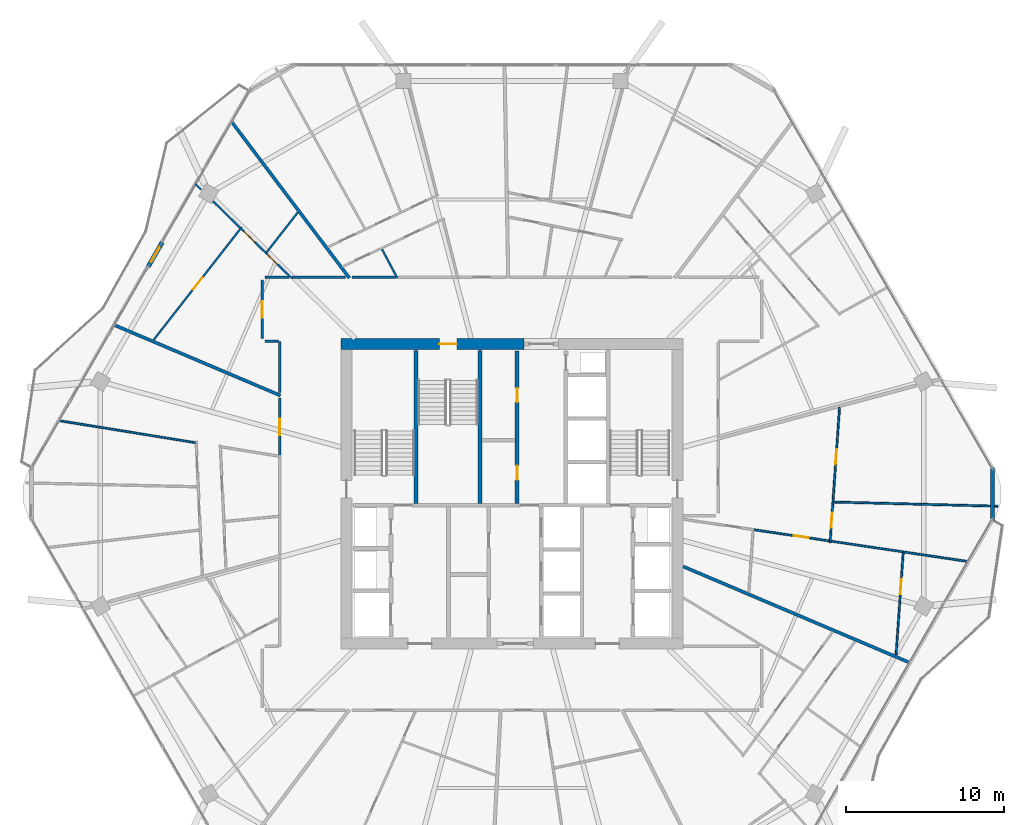
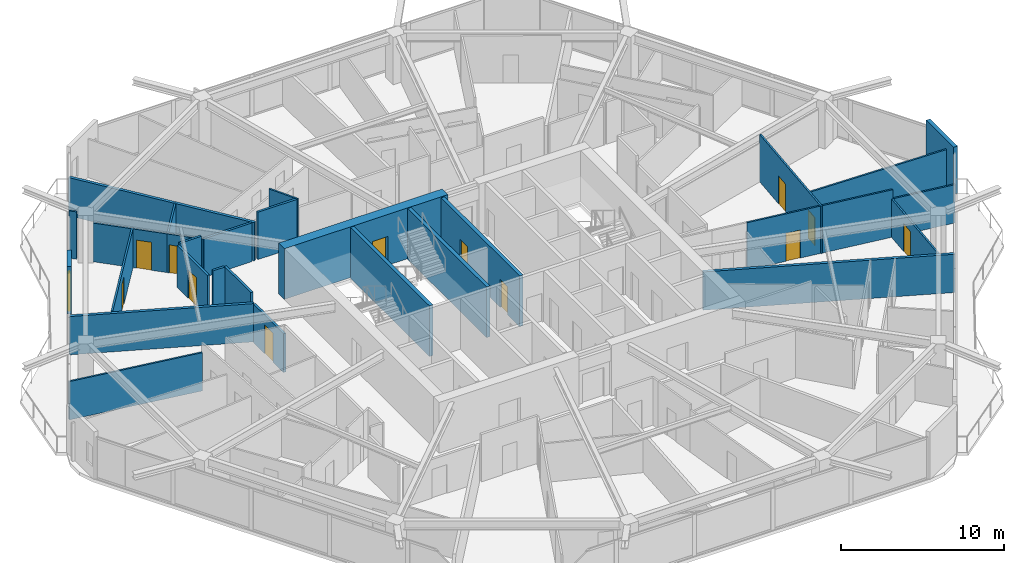
# One storey, part 21 of 27: 31 walls, 13 doors, 13 openings.
"""IFC4 building model written with IfcOpenShell, lengths in metres."""

from ifc_helpers import new_model, si_unit, direction, frame, frame_2d, origin, place, context, subcontext, project, spatial, rectangle, extrude, material, layer, layer_set, type_object, element, fill, save


model = new_model("IFC4")

# Units and contexts
model_context = context("Model", 3, precision=1e-05, world=origin(), true_north=direction((0.0, 1.0)))
body_context = subcontext(model_context, "Body", "Model", "MODEL_VIEW")
ifc_project = project(units=[si_unit("LENGTHUNIT", "METRE"), si_unit("AREAUNIT", "SQUARE_METRE"), si_unit("VOLUMEUNIT", "CUBIC_METRE"), si_unit("PLANEANGLEUNIT", "RADIAN"), si_unit("MASSUNIT", "GRAM", prefix="KILO")], contexts=[model_context])

# Site, building, storey
site_placement = place(None, origin())
site = spatial("IfcSite", under=ifc_project, at=site_placement, CompositionType="ELEMENT")
building_placement = place(site_placement, origin())
building = spatial("IfcBuilding", under=site, at=building_placement, Name="Zuhravey Tower", CompositionType="ELEMENT")
storey_placement = place(building_placement, frame((0.0, 0.0, 188.39990234375)))
storey = spatial("IfcBuildingStorey", under=building, at=storey_placement, Name="L47", CompositionType="ELEMENT", Elevation=188.39990234375)

# Wall, opening, door
ifc_material_1 = material(Name="Concrete C60/75", Category="concrete")
ifc_layer_1 = layer(ifc_material_1, 0.699951171875)
ifc_layer_set_1 = layer_set([ifc_layer_1], Name="Concrete C60/75")
wall_type_1 = type_object("IfcWallType", Name="Core Shear Wall 700", PredefinedType="SHEAR", material=ifc_layer_set_1)
wall_1_placement = place(storey_placement, frame((36.75, 41.5, 0.0), z_axis=(0.0, 0.0, 1.0), x_axis=(-1.0, 0.0, 0.0)))
wall_1 = element("IfcWall", 1, at=wall_1_placement, inside=storey, type_object=wall_type_1, Name="L47 North-West Core Shear Wall CW70", PredefinedType="SHEAR", context=body_context, shape_type="SweptSolid", body=[
    extrude(rectangle(XDim=11.60009765625, YDim=0.699951171875, at=frame_2d((5.800048828125, 0.0))), origin(), (0.0, 0.0, 1.0), 3.800048828125),
])
opening_1_placement = place(wall_1_placement, frame((4.25, 0.0, 0.0)))
opening_1 = element("IfcOpeningElement", 2, at=opening_1_placement, cuts=wall_1, Name="Opening STD1", PredefinedType="OPENING", context=body_context, shape_type="SweptSolid", body=[
    extrude(rectangle(XDim=1.10009765625, YDim=2.14990234375, at=frame_2d((0.550048828125, 1.074951171875))), frame((0.0, 0.362060546875, 0.0), z_axis=(0.0, -1.0, 0.0), x_axis=(1.0, 0.0, 0.0)), (0.0, 0.0, 1.0), 0.723876953125),
])
ifc_material_2 = material(Name="Galvanised fire-rated steel leaf", Category="steel")
door_type_1 = type_object("IfcDoorType", Name="Protected Stair Fire Door 1100x2150", OperationType="NOTDEFINED", PredefinedType="USERDEFINED", material=ifc_material_2)
door_1_placement = place(opening_1_placement, origin())
door_1 = element("IfcDoor", 3, at=door_1_placement, inside=storey, type_object=door_type_1, Name="L47 Stair ST3 Door", ObjectType="EXITDOOR", OperationType="SINGLE_SWING_RIGHT", OverallHeight=2.14990234375, OverallWidth=1.10009765625, PredefinedType="USERDEFINED", context=body_context, shape_type="SweptSolid", body=[
    extrude(rectangle(XDim=1.10009765625, YDim=2.14990234375, at=frame_2d((0.550048828125, 1.074951171875))), frame((0.0, 0.02490234375, 0.0), z_axis=(0.0, -1.0, 0.0), x_axis=(1.0, 0.0, 0.0)), (0.0, 0.0, 1.0), 0.050048828125),
])
fill(opening_1, door_1)

ifc_material_3 = material(Name="Gypsum fire-rated stud partition")
ifc_layer_2 = layer(ifc_material_3, 0.159912109375)
ifc_layer_set_2 = layer_set([ifc_layer_2], Name="Gypsum fire-rated stud partition")
wall_type_2 = type_object("IfcWallType", Name="Corridor Fire Partition 160", PredefinedType="PARTITIONING", material=ifc_layer_set_2)
wall_2_placement = place(storey_placement, frame((20.169921875, 45.550048828125, 0.0), z_axis=(0.0, 0.0, 1.0), x_axis=(0.0, -1.0, 0.0)))
wall_2 = element("IfcWall", 4, at=wall_2_placement, inside=storey, type_object=wall_type_2, Name="L47 IW16 Partition 034", PredefinedType="PARTITIONING", context=body_context, shape_type="SweptSolid", body=[
    extrude(rectangle(XDim=3.699951171875, YDim=0.159912109375, at=frame_2d((1.85009765625, 0.0))), origin(), (0.0, 0.0, 1.0), 3.150146484375),
])
opening_2_placement = place(wall_2_placement, frame((1.324951171875, 0.0, 0.0)))
opening_2 = element("IfcOpeningElement", 5, at=opening_2_placement, cuts=wall_2, Name="Opening APD1", PredefinedType="OPENING", context=body_context, shape_type="SweptSolid", body=[
    extrude(rectangle(XDim=1.050048828125, YDim=2.14990234375, at=frame_2d((0.52490234375, 1.074951171875))), frame((0.0, 0.092041015625, 0.0), z_axis=(0.0, -1.0, 0.0), x_axis=(1.0, 0.0, 0.0)), (0.0, 0.0, 1.0), 0.183837890625),
])
ifc_material_4 = material(Name="Solid-core oak fire-rated leaf")
door_type_2 = type_object("IfcDoorType", Name="Apartment Entrance Fire Door 1050x2150", OperationType="NOTDEFINED", PredefinedType="DOOR", material=ifc_material_4)
door_2_placement = place(opening_2_placement, frame((1.050048828125, 0.0, 0.0), z_axis=(0.0, 0.0, 1.0), x_axis=(-1.0, 0.0, 0.0)))
door_2 = element("IfcDoor", 6, at=door_2_placement, inside=storey, type_object=door_type_2, Name="L47 Door 034.1", OperationType="SINGLE_SWING_LEFT", OverallHeight=2.14990234375, OverallWidth=1.050048828125, PredefinedType="DOOR", context=body_context, shape_type="SweptSolid", body=[
    extrude(rectangle(XDim=1.050048828125, YDim=2.14990234375, at=frame_2d((0.52490234375, 1.074951171875))), frame((0.0, 0.02490234375, 0.0), z_axis=(0.0, -1.0, 0.0), x_axis=(1.0, 0.0, 0.0)), (0.0, 0.0, 1.0), 0.050048828125),
])
fill(opening_2, door_2)

wall_3_placement = place(storey_placement, frame((21.27001953125, 38.07958984375, 0.0), z_axis=(0.0, 0.0, 1.0), x_axis=(0.0, -1.0, 0.0)))
wall_3 = element("IfcWall", 7, at=wall_3_placement, inside=storey, type_object=wall_type_2, Name="L47 IW16 Partition 037", PredefinedType="PARTITIONING", context=body_context, shape_type="SweptSolid", body=[
    extrude(rectangle(XDim=3.678955078125, YDim=0.159912109375, at=frame_2d((1.83935546875, 0.0))), origin(), (0.0, 0.0, 1.0), 2.900146484375),
])
opening_3_placement = place(wall_3_placement, frame((1.314453125, 0.0, 0.0)))
opening_3 = element("IfcOpeningElement", 8, at=opening_3_placement, cuts=wall_3, Name="Opening APD1", PredefinedType="OPENING", context=body_context, shape_type="SweptSolid", body=[
    extrude(rectangle(XDim=1.050048828125, YDim=2.14990234375, at=frame_2d((0.52490234375, 1.074951171875))), frame((0.0, 0.092041015625, 0.0), z_axis=(0.0, -1.0, 0.0), x_axis=(1.0, 0.0, 0.0)), (0.0, 0.0, 1.0), 0.183837890625),
])
door_3_placement = place(opening_3_placement, frame((1.050048828125, 0.0, 0.0), z_axis=(0.0, 0.0, 1.0), x_axis=(-1.0, 0.0, 0.0)))
door_3 = element("IfcDoor", 9, at=door_3_placement, inside=storey, type_object=door_type_2, Name="L47 Door 037.1", OperationType="SINGLE_SWING_LEFT", OverallHeight=2.14990234375, OverallWidth=1.050048828125, PredefinedType="DOOR", context=body_context, shape_type="SweptSolid", body=[
    extrude(rectangle(XDim=1.050048828125, YDim=2.14990234375, at=frame_2d((0.52490234375, 1.074951171875))), frame((0.0, 0.02490234375, 0.0), z_axis=(0.0, -1.0, 0.0), x_axis=(1.0, 0.0, 0.0)), (0.0, 0.0, 1.0), 0.050048828125),
])
fill(opening_3, door_3)

# Walls
wall_4_placement = place(storey_placement, frame((28.626220703125, 45.72998046875, 0.0), z_axis=(0.0, 0.0, 1.0), x_axis=(-1.0, 0.0, 0.0)))
element("IfcWall", 10, at=wall_4_placement, inside=storey, type_object=wall_type_2, Name="L47 IW16 Partition 131", PredefinedType="PARTITIONING", context=body_context, shape_type="SweptSolid", body=[
    extrude(rectangle(XDim=2.760986328125, YDim=0.159912109375, at=frame_2d((1.38037109375, 0.0))), origin(), (0.0, 0.0, 1.0), 3.550048828125),
])
wall_5_placement = place(storey_placement, frame((21.27001953125, 41.669921875, 0.0), z_axis=(0.0, 0.0, 1.0), x_axis=(0.0, -1.0, 0.0)))
element("IfcWall", 11, at=wall_5_placement, inside=storey, type_object=wall_type_2, Name="L47 IW16 Partition 132", PredefinedType="PARTITIONING", context=body_context, shape_type="SweptSolid", body=[
    extrude(rectangle(XDim=3.243408203125, YDim=0.159912109375, at=frame_2d((1.62158203125, 0.0))), origin(), (0.0, 0.0, 1.0), 3.550048828125),
])
wall_6_placement = place(storey_placement, frame((21.872314453125, 45.72998046875, 0.0), z_axis=(0.0, 0.0, 1.0), x_axis=(-1.0, 0.0, 0.0)))
element("IfcWall", 12, at=wall_6_placement, inside=storey, type_object=wall_type_2, Name="L47 IW16 Partition 133", PredefinedType="PARTITIONING", context=body_context, shape_type="SweptSolid", body=[
    extrude(rectangle(XDim=1.522216796875, YDim=0.159912109375, at=frame_2d((0.76123046875, 0.0))), origin(), (0.0, 0.0, 1.0), 3.150146484375),
])
wall_7_placement = place(storey_placement, frame((20.35009765625, 41.669921875, 0.0), z_axis=(0.0, 0.0, 1.0), x_axis=(1.0, 0.0, 0.0)))
element("IfcWall", 13, at=wall_7_placement, inside=storey, type_object=wall_type_2, Name="L47 IW16 Partition 134", PredefinedType="PARTITIONING", context=body_context, shape_type="SweptSolid", body=[
    extrude(rectangle(XDim=0.831787109375, YDim=0.159912109375, at=frame_2d((0.416015625, 0.0))), origin(), (0.0, 0.0, 1.0), 3.550048828125),
])
wall_8_placement = place(storey_placement, frame((25.439453125, 45.72998046875, 0.0), z_axis=(0.0, 0.0, 1.0), x_axis=(-1.0, 0.0, 0.0)))
element("IfcWall", 14, at=wall_8_placement, inside=storey, type_object=wall_type_2, Name="L47 IW16 Partition 135", PredefinedType="PARTITIONING", context=body_context, shape_type="SweptSolid", body=[
    extrude(rectangle(XDim=3.3798828125, YDim=0.159912109375, at=frame_2d((1.68994140625, 0.0))), origin(), (0.0, 0.0, 1.0), 2.900146484375),
])

# Wall, opening, door
ifc_material_5 = material(Name="Precast concrete C40/50", Category="concrete")
ifc_layer_3 = layer(ifc_material_5, 0.280029296875)
ifc_layer_set_3 = layer_set([ifc_layer_3], Name="Precast concrete C40/50")
wall_type_3 = type_object("IfcWallType", Name="Crown Architectural Wall 280", PredefinedType="SOLIDWALL", material=ifc_layer_set_3)
wall_9_placement = place(storey_placement, frame((12.92626953125, 46.4013671875, 0.0), z_axis=(0.0, 0.0, 1.0), x_axis=(0.499982180423, 0.866035691677, 0.0)))
wall_9 = element("IfcWall", 15, at=wall_9_placement, inside=storey, type_object=wall_type_3, Name="L47 Face 3 Facade Pier EW28-1", PredefinedType="SOLIDWALL", context=body_context, shape_type="SweptSolid", body=[
    extrude(rectangle(XDim=1.7900390625, YDim=0.280029296875, at=frame_2d((0.89501953125, 0.0))), origin(), (0.0, 0.0, 1.0), 3.550048828125),
])
opening_4_placement = place(wall_9_placement, frame((0.344970703125, 0.0, 0.0)))
opening_4 = element("IfcOpeningElement", 16, at=opening_4_placement, cuts=wall_9, Name="Opening BLD1", PredefinedType="OPENING", context=body_context, shape_type="SweptSolid", body=[
    extrude(rectangle(XDim=1.10009765625, YDim=2.199951171875, at=frame_2d((0.550048828125, 1.10009765625))), frame((0.0, 0.152099609375, 0.0), z_axis=(0.0, -1.0, 0.0), x_axis=(1.0, 0.0, 0.0)), (0.0, 0.0, 1.0), 0.303955078125),
])
ifc_material_6 = material(Name="Thermally broken aluminium and low-E glass", Category="aluminium")
door_type_3 = type_object("IfcDoorType", Name="Balcony & Sky-Tray Glazed Door 1100x2200", OperationType="NOTDEFINED", PredefinedType="DOOR", material=ifc_material_6)
door_4_placement = place(opening_4_placement, frame((1.10009765625, 0.0, 0.0), z_axis=(0.0, 0.0, 1.0), x_axis=(-1.0, 0.0, 0.0)))
door_4 = element("IfcDoor", 17, at=door_4_placement, inside=storey, type_object=door_type_3, Name="L47 Face 3 Wave Balcony Door", OperationType="SINGLE_SWING_RIGHT", OverallHeight=2.199951171875, OverallWidth=1.10009765625, PredefinedType="DOOR", context=body_context, shape_type="SweptSolid", body=[
    extrude(rectangle(XDim=1.10009765625, YDim=2.199951171875, at=frame_2d((0.550048828125, 1.10009765625))), frame((0.0, 0.02490234375, 0.0), z_axis=(0.0, -1.0, 0.0), x_axis=(1.0, 0.0, 0.0)), (0.0, 0.0, 1.0), 0.050048828125),
])
fill(opening_4, door_4)

# Walls
wall_10_placement = place(storey_placement, frame((66.4716796875, 33.6826171875, 0.0), z_axis=(0.0, 0.0, 1.0), x_axis=(0.0, -1.0, 0.0)))
element("IfcWall", 18, at=wall_10_placement, inside=storey, type_object=wall_type_3, Name="L47 Rounded Corner Closure Wall EW28-12", PredefinedType="SOLIDWALL", context=body_context, shape_type="SweptSolid", body=[
    extrude(rectangle(XDim=3.365234375, YDim=0.280029296875, at=frame_2d((1.6826171875, 0.0))), origin(), (0.0, 0.0, 1.0), 3.550048828125),
])
ifc_material_7 = material(Name="Concrete C50/60", Category="concrete")
ifc_layer_4 = layer(ifc_material_7, 0.25)
ifc_layer_set_4 = layer_set([ifc_layer_4], Name="Concrete C50/60")
wall_type_4 = type_object("IfcWallType", Name="Firefighting Shaft & Stair Wall 250", PredefinedType="SOLIDWALL", material=ifc_layer_set_4)
for number, where, z_axis, x_axis, name in (
    (19, (29.925048828125, 31.39990234375, 0.0), (0.0, 0.0, 1.0), (0.0, 1.0, 0.0), "L47 FW25 Shaft Wall 004"),
    (20, (33.97509765625, 31.39990234375, 0.0), (0.0, 0.0, 1.0), (0.0, 1.0, 0.0), "L47 FW25 Shaft Wall 005"),
):
    element("IfcWall", number, at=place(storey_placement, frame(where, z_axis=z_axis, x_axis=x_axis)), inside=storey, type_object=wall_type_4, Name=name, PredefinedType="SOLIDWALL", context=body_context, shape_type="SweptSolid", body=[
        extrude(rectangle(XDim=9.7001953125, YDim=0.25, at=frame_2d((4.85009765625, 0.0))), origin(), (0.0, 0.0, 1.0), 3.800048828125),
    ])

# Wall, openings, doors
wall_11_placement = place(storey_placement, frame((36.324951171875, 31.39990234375, 0.0), z_axis=(0.0, 0.0, 1.0), x_axis=(0.0, 1.0, 0.0)))
wall_11 = element("IfcWall", 21, at=wall_11_placement, inside=storey, type_object=wall_type_4, Name="L47 FW25 Shaft Wall 007", PredefinedType="SOLIDWALL", context=body_context, shape_type="SweptSolid", body=[
    extrude(rectangle(XDim=9.650146484375, YDim=0.25, at=frame_2d((4.8251953125, 0.0))), origin(), (0.0, 0.0, 1.0), 3.800048828125),
])
opening_5_placement = place(wall_11_placement, frame((1.489990234375, 0.0, 0.0)))
opening_5 = element("IfcOpeningElement", 22, at=opening_5_placement, cuts=wall_11, Name="Opening RSD1", PredefinedType="OPENING", context=body_context, shape_type="SweptSolid", body=[
    extrude(rectangle(XDim=0.89990234375, YDim=2.10009765625, at=frame_2d((0.449951171875, 1.050048828125))), frame((0.0, 0.136962890625, 0.0), z_axis=(0.0, -1.0, 0.0), x_axis=(1.0, 0.0, 0.0)), (0.0, 0.0, 1.0), 0.27392578125),
])
opening_6_placement = place(wall_11_placement, frame((6.409912109375, 0.0, 0.0)))
opening_6 = element("IfcOpeningElement", 23, at=opening_6_placement, cuts=wall_11, Name="Opening RSD1", PredefinedType="OPENING", context=body_context, shape_type="SweptSolid", body=[
    extrude(rectangle(XDim=0.89990234375, YDim=2.10009765625, at=frame_2d((0.449951171875, 1.050048828125))), frame((0.0, 0.136962890625, 0.0), z_axis=(0.0, -1.0, 0.0), x_axis=(1.0, 0.0, 0.0)), (0.0, 0.0, 1.0), 0.27392578125),
])
ifc_material_8 = material(Name="Galvanised fire-rated steel access leaf", Category="steel")
door_type_4 = type_object("IfcDoorType", Name="Riser & Shaft Access Fire Door 900x2100", OperationType="NOTDEFINED", PredefinedType="DOOR", material=ifc_material_8)
door_5_placement = place(opening_5_placement, origin())
door_5 = element("IfcDoor", 24, at=door_5_placement, inside=storey, type_object=door_type_4, Name="L47 Core Cleaner Store Door", OperationType="SINGLE_SWING_RIGHT", OverallHeight=2.10009765625, OverallWidth=0.89990234375, PredefinedType="DOOR", context=body_context, shape_type="SweptSolid", body=[
    extrude(rectangle(XDim=0.89990234375, YDim=2.10009765625, at=frame_2d((0.449951171875, 1.050048828125))), frame((0.0, 0.02490234375, 0.0), z_axis=(0.0, -1.0, 0.0), x_axis=(1.0, 0.0, 0.0)), (0.0, 0.0, 1.0), 0.050048828125),
])
fill(opening_5, door_5)
door_6_placement = place(opening_6_placement, origin())
door_6 = element("IfcDoor", 25, at=door_6_placement, inside=storey, type_object=door_type_4, Name="L47 Core Pantry and Tea Room Door", OperationType="SINGLE_SWING_LEFT", OverallHeight=2.10009765625, OverallWidth=0.89990234375, PredefinedType="DOOR", context=body_context, shape_type="SweptSolid", body=[
    extrude(rectangle(XDim=0.89990234375, YDim=2.10009765625, at=frame_2d((0.449951171875, 1.050048828125))), frame((0.0, 0.02490234375, 0.0), z_axis=(0.0, -1.0, 0.0), x_axis=(1.0, 0.0, 0.0)), (0.0, 0.0, 1.0), 0.050048828125),
])
fill(opening_6, door_6)

# Walls
ifc_material_9 = material(Name="Gypsum double-stud party assembly")
ifc_layer_5 = layer(ifc_material_9, 0.199951171875)
ifc_layer_set_5 = layer_set([ifc_layer_5], Name="Gypsum double-stud party assembly")
wall_type_5 = type_object("IfcWallType", Name="Inter-Tenancy Party Wall 200", PredefinedType="PARTITIONING", material=ifc_layer_set_5)
wall_12_placement = place(storey_placement, frame((25.683837890625, 45.68994140625, 0.0), z_axis=(0.0, 0.0, 1.0), x_axis=(-0.601811441108, 0.798638209299, 0.0)))
element("IfcWall", 26, at=wall_12_placement, inside=storey, type_object=wall_type_5, Name="L47 IW20 Partition 088", PredefinedType="PARTITIONING", context=body_context, shape_type="SweptSolid", body=[
    extrude(rectangle(XDim=12.388916015625, YDim=0.199951171875, at=frame_2d((6.1943359375, 0.0))), origin(), (0.0, 0.0, 1.0), 2.8701171875),
])
wall_13_placement = place(storey_placement, frame((21.31005859375, 38.235595703125, 0.0), z_axis=(0.0, 0.0, 1.0), x_axis=(-0.920512876962, 0.390712225746, 0.0)))
element("IfcWall", 27, at=wall_13_placement, inside=storey, type_object=wall_type_5, Name="L47 IW20 Partition 092", PredefinedType="PARTITIONING", context=body_context, shape_type="SweptSolid", body=[
    extrude(rectangle(XDim=11.4287109375, YDim=0.199951171875, at=frame_2d((5.71435546875, 0.0))), origin(), (0.0, 0.0, 1.0), 2.8701171875),
])
wall_14_placement = place(storey_placement, frame((46.85791015625, 27.39111328125, 0.0), z_axis=(0.0, 0.0, 1.0), x_axis=(0.920508238271, -0.390723154261, 0.0)))
element("IfcWall", 28, at=wall_14_placement, inside=storey, type_object=wall_type_5, Name="L47 IW20 Partition 118", PredefinedType="PARTITIONING", context=body_context, shape_type="SweptSolid", body=[
    extrude(rectangle(XDim=15.591796875, YDim=0.199951171875, at=frame_2d((7.7958984375, 0.0))), origin(), (0.0, 0.0, 1.0), 2.8701171875),
])

# Wall, opening, door
ifc_material_10 = material(Name="Gypsum metal-stud partition")
ifc_layer_6 = layer(ifc_material_10, 0.1201171875)
ifc_layer_set_6 = layer_set([ifc_layer_6], Name="Gypsum metal-stud partition")
wall_type_6 = type_object("IfcWallType", Name="Unit Internal Partition 120", PredefinedType="PARTITIONING", material=ifc_layer_set_6)
wall_15_placement = place(storey_placement, frame((18.859619140625, 48.913330078125, 0.0), z_axis=(0.0, 0.0, 1.0), x_axis=(-0.615647177954, -0.788021923729, 0.0)))
wall_15 = element("IfcWall", 29, at=wall_15_placement, inside=storey, type_object=wall_type_6, Name="L47 IW12 Partition 030", PredefinedType="PARTITIONING", context=body_context, shape_type="SweptSolid", body=[
    extrude(rectangle(XDim=9.064453125, YDim=0.1201171875, at=frame_2d((4.5322265625, 0.0))), origin(), (0.0, 0.0, 1.0), 2.900146484375),
])
opening_7_placement = place(wall_15_placement, frame((4.057373046875, 0.0, 0.0)))
opening_7 = element("IfcOpeningElement", 30, at=opening_7_placement, cuts=wall_15, Name="Opening IND1", PredefinedType="OPENING", context=body_context, shape_type="SweptSolid", body=[
    extrude(rectangle(XDim=0.949951171875, YDim=2.10009765625, at=frame_2d((0.47509765625, 1.050048828125))), frame((0.0, 0.072021484375, 0.0), z_axis=(0.0, -1.0, 0.0), x_axis=(1.0, 0.0, 0.0)), (0.0, 0.0, 1.0), 0.14404296875),
])
ifc_material_11 = material(Name="Painted engineered timber leaf", Category="wood")
door_type_5 = type_object("IfcDoorType", Name="Internal Room & Bedroom Door 950x2100", OperationType="NOTDEFINED", PredefinedType="DOOR", material=ifc_material_11)
door_7_placement = place(opening_7_placement, frame((0.949951171875, 0.0, 0.0), z_axis=(0.0, 0.0, 1.0), x_axis=(-1.0, 0.0, 0.0)))
door_7 = element("IfcDoor", 31, at=door_7_placement, inside=storey, type_object=door_type_5, Name="Apartment L47-04 Family Study Door", OperationType="SINGLE_SWING_RIGHT", OverallHeight=2.10009765625, OverallWidth=0.949951171875, PredefinedType="DOOR", context=body_context, shape_type="SweptSolid", body=[
    extrude(rectangle(XDim=0.949951171875, YDim=2.10009765625, at=frame_2d((0.47509765625, 1.050048828125))), frame((0.0, 0.02490234375, 0.0), z_axis=(0.0, -1.0, 0.0), x_axis=(1.0, 0.0, 0.0)), (0.0, 0.0, 1.0), 0.050048828125),
])
fill(opening_7, door_7)

wall_16_placement = place(storey_placement, frame((21.38720703125, 46.300048828125, 0.0), z_axis=(0.0, 0.0, 1.0), x_axis=(-0.714709414699, 0.699421512781, 0.0)))
wall_16 = element("IfcWall", 32, at=wall_16_placement, inside=storey, type_object=wall_type_6, Name="L47 IW12 Partition 031", PredefinedType="PARTITIONING", context=body_context, shape_type="SweptSolid", body=[
    extrude(rectangle(XDim=1.4052734375, YDim=0.1201171875, at=frame_2d((0.70263671875, 0.0))), origin(), (0.0, 0.0, 1.0), 2.900146484375),
])
opening_8_placement = place(wall_16_placement, frame((0.365234375, 0.0, 0.0)))
opening_8 = element("IfcOpeningElement", 33, at=opening_8_placement, cuts=wall_16, Name="Opening WCD1", PredefinedType="OPENING", context=body_context, shape_type="SweptSolid", body=[
    extrude(rectangle(XDim=0.89990234375, YDim=2.10009765625, at=frame_2d((0.449951171875, 1.050048828125))), frame((0.0, 0.072021484375, 0.0), z_axis=(0.0, -1.0, 0.0), x_axis=(1.0, 0.0, 0.0)), (0.0, 0.0, 1.0), 0.14404296875),
])
ifc_material_12 = material(Name="Moisture-resistant timber leaf", Category="wood")
door_type_6 = type_object("IfcDoorType", Name="Bathroom & WC Internal Door 900x2100", OperationType="NOTDEFINED", PredefinedType="DOOR", material=ifc_material_12)
door_8_placement = place(opening_8_placement, frame((0.89990234375, 0.0, 0.0), z_axis=(0.0, 0.0, 1.0), x_axis=(-1.0, 0.0, 0.0)))
door_8 = element("IfcDoor", 34, at=door_8_placement, inside=storey, type_object=door_type_6, Name="Apartment L47-04 Bathroom Door", OperationType="SINGLE_SWING_LEFT", OverallHeight=2.10009765625, OverallWidth=0.89990234375, PredefinedType="DOOR", context=body_context, shape_type="SweptSolid", body=[
    extrude(rectangle(XDim=0.89990234375, YDim=2.10009765625, at=frame_2d((0.449951171875, 1.050048828125))), frame((0.0, 0.02490234375, 0.0), z_axis=(0.0, -1.0, 0.0), x_axis=(1.0, 0.0, 0.0)), (0.0, 0.0, 1.0), 0.050048828125),
])
fill(opening_8, door_8)

wall_17_placement = place(storey_placement, frame((20.3828125, 47.282958984375, 0.0), z_axis=(0.0, 0.0, 1.0), x_axis=(-0.714732795813, 0.699397619806, 0.0)))
wall_17 = element("IfcWall", 35, at=wall_17_placement, inside=storey, type_object=wall_type_6, Name="L47 IW12 Partition 032", PredefinedType="PARTITIONING", context=body_context, shape_type="SweptSolid", body=[
    extrude(rectangle(XDim=2.149169921875, YDim=0.1201171875, at=frame_2d((1.07470703125, 0.0))), origin(), (0.0, 0.0, 1.0), 2.900146484375),
])
opening_9_placement = place(wall_17_placement, frame((0.986328125, 0.0, 0.0)))
opening_9 = element("IfcOpeningElement", 36, at=opening_9_placement, cuts=wall_17, Name="Opening IND1", PredefinedType="OPENING", context=body_context, shape_type="SweptSolid", body=[
    extrude(rectangle(XDim=0.949951171875, YDim=2.10009765625, at=frame_2d((0.47509765625, 1.050048828125))), frame((0.0, 0.072021484375, 0.0), z_axis=(0.0, -1.0, 0.0), x_axis=(1.0, 0.0, 0.0)), (0.0, 0.0, 1.0), 0.14404296875),
])
door_9_placement = place(opening_9_placement, frame((0.949951171875, 0.0, 0.0), z_axis=(0.0, 0.0, 1.0), x_axis=(-1.0, 0.0, 0.0)))
door_9 = element("IfcDoor", 37, at=door_9_placement, inside=storey, type_object=door_type_5, Name="Apartment L47-04 Kitchen Door", OperationType="SINGLE_SWING_RIGHT", OverallHeight=2.10009765625, OverallWidth=0.949951171875, PredefinedType="DOOR", context=body_context, shape_type="SweptSolid", body=[
    extrude(rectangle(XDim=0.949951171875, YDim=2.10009765625, at=frame_2d((0.47509765625, 1.050048828125))), frame((0.0, 0.02490234375, 0.0), z_axis=(0.0, -1.0, 0.0), x_axis=(1.0, 0.0, 0.0)), (0.0, 0.0, 1.0), 0.050048828125),
])
fill(opening_9, door_9)

# Wall
wall_18_placement = place(storey_placement, frame((18.748779296875, 48.8818359375, 0.0), z_axis=(0.0, 0.0, 1.0), x_axis=(-0.714735111358, 0.699395253481, 0.0)))
element("IfcWall", 38, at=wall_18_placement, inside=storey, type_object=wall_type_6, Name="L47 IW12 Partition 033", PredefinedType="PARTITIONING", context=body_context, shape_type="SweptSolid", body=[
    extrude(rectangle(XDim=2.38720703125, YDim=0.1201171875, at=frame_2d((1.193603515625, 0.0))), origin(), (0.0, 0.0, 1.0), 2.900146484375),
])

# Wall, openings, doors
wall_19_placement = place(storey_placement, frame((56.1728515625, 28.905517578125, 0.0), z_axis=(0.0, 0.0, 1.0), x_axis=(0.069768607492, 0.997563201711, 0.0)))
wall_19 = element("IfcWall", 39, at=wall_19_placement, inside=storey, type_object=wall_type_6, Name="L47 IW12 Partition 055", PredefinedType="PARTITIONING", context=body_context, shape_type="SweptSolid", body=[
    extrude(rectangle(XDim=8.5908203125, YDim=0.1201171875, at=frame_2d((4.29541015625, 0.0))), origin(), (0.0, 0.0, 1.0), 3.550048828125),
])
opening_10_placement = place(wall_19_placement, frame((0.93603515625, 0.0, 0.0)))
opening_10 = element("IfcOpeningElement", 40, at=opening_10_placement, cuts=wall_19, Name="Opening IND1", PredefinedType="OPENING", context=body_context, shape_type="SweptSolid", body=[
    extrude(rectangle(XDim=0.949951171875, YDim=2.10009765625, at=frame_2d((0.47509765625, 1.050048828125))), frame((0.0, 0.072021484375, 0.0), z_axis=(0.0, -1.0, 0.0), x_axis=(1.0, 0.0, 0.0)), (0.0, 0.0, 1.0), 0.14404296875),
])
opening_11_placement = place(wall_19_placement, frame((4.991455078125, 0.0, 0.0)))
opening_11 = element("IfcOpeningElement", 41, at=opening_11_placement, cuts=wall_19, Name="Opening IND1", PredefinedType="OPENING", context=body_context, shape_type="SweptSolid", body=[
    extrude(rectangle(XDim=0.949951171875, YDim=2.10009765625, at=frame_2d((0.47509765625, 1.050048828125))), frame((0.0, 0.072021484375, 0.0), z_axis=(0.0, -1.0, 0.0), x_axis=(1.0, 0.0, 0.0)), (0.0, 0.0, 1.0), 0.14404296875),
])
door_10_placement = place(opening_10_placement, frame((0.949951171875, 0.0, 0.0), z_axis=(0.0, 0.0, 1.0), x_axis=(-1.0, 0.0, 0.0)))
door_10 = element("IfcDoor", 42, at=door_10_placement, inside=storey, type_object=door_type_5, Name="Apartment L47-10 Family Study Door", OperationType="SINGLE_SWING_LEFT", OverallHeight=2.10009765625, OverallWidth=0.949951171875, PredefinedType="DOOR", context=body_context, shape_type="SweptSolid", body=[
    extrude(rectangle(XDim=0.949951171875, YDim=2.10009765625, at=frame_2d((0.47509765625, 1.050048828125))), frame((0.0, 0.02490234375, 0.0), z_axis=(0.0, -1.0, 0.0), x_axis=(1.0, 0.0, 0.0)), (0.0, 0.0, 1.0), 0.050048828125),
])
fill(opening_10, door_10)
door_11_placement = place(opening_11_placement, frame((0.949951171875, 0.0, 0.0), z_axis=(0.0, 0.0, 1.0), x_axis=(-1.0, 0.0, 0.0)))
door_11 = element("IfcDoor", 43, at=door_11_placement, inside=storey, type_object=door_type_5, Name="Apartment L47-10 Dining Room Door", OperationType="SINGLE_SWING_RIGHT", OverallHeight=2.10009765625, OverallWidth=0.949951171875, PredefinedType="DOOR", context=body_context, shape_type="SweptSolid", body=[
    extrude(rectangle(XDim=0.949951171875, YDim=2.10009765625, at=frame_2d((0.47509765625, 1.050048828125))), frame((0.0, 0.02490234375, 0.0), z_axis=(0.0, -1.0, 0.0), x_axis=(1.0, 0.0, 0.0)), (0.0, 0.0, 1.0), 0.050048828125),
])
fill(opening_11, door_11)

# Wall, opening, door
wall_20_placement = place(storey_placement, frame((51.3212890625, 29.726806640625, 0.0), z_axis=(0.0, 0.0, 1.0), x_axis=(0.98916147346, -0.146831806573, 0.0)))
wall_20 = element("IfcWall", 44, at=wall_20_placement, inside=storey, type_object=wall_type_6, Name="L47 IW12 Partition 057", PredefinedType="PARTITIONING", context=body_context, shape_type="SweptSolid", body=[
    extrude(rectangle(XDim=4.843505859375, YDim=0.1201171875, at=frame_2d((2.421875, 0.0))), origin(), (0.0, 0.0, 1.0), 3.550048828125),
])
opening_12_placement = place(wall_20_placement, frame((2.5693359375, 0.0, 0.0)))
opening_12 = element("IfcOpeningElement", 45, at=opening_12_placement, cuts=wall_20, Name="Opening IND1", PredefinedType="OPENING", context=body_context, shape_type="SweptSolid", body=[
    extrude(rectangle(XDim=0.949951171875, YDim=2.10009765625, at=frame_2d((0.47509765625, 1.050048828125))), frame((0.0, 0.072021484375, 0.0), z_axis=(0.0, -1.0, 0.0), x_axis=(1.0, 0.0, 0.0)), (0.0, 0.0, 1.0), 0.14404296875),
])
door_12_placement = place(opening_12_placement, frame((0.949951171875, 0.0, 0.0), z_axis=(0.0, 0.0, 1.0), x_axis=(-1.0, 0.0, 0.0)))
door_12 = element("IfcDoor", 46, at=door_12_placement, inside=storey, type_object=door_type_5, Name="Apartment L47-10 Home Office Door", OperationType="SINGLE_SWING_RIGHT", OverallHeight=2.10009765625, OverallWidth=0.949951171875, PredefinedType="DOOR", context=body_context, shape_type="SweptSolid", body=[
    extrude(rectangle(XDim=0.949951171875, YDim=2.10009765625, at=frame_2d((0.47509765625, 1.050048828125))), frame((0.0, 0.02490234375, 0.0), z_axis=(0.0, -1.0, 0.0), x_axis=(1.0, 0.0, 0.0)), (0.0, 0.0, 1.0), 0.050048828125),
])
fill(opening_12, door_12)

# Wall
wall_21_placement = place(storey_placement, frame((56.247314453125, 28.99560546875, 0.0), z_axis=(0.0, 0.0, 1.0), x_axis=(0.989173212218, -0.146752704339, 0.0)))
element("IfcWall", 47, at=wall_21_placement, inside=storey, type_object=wall_type_6, Name="L47 IW12 Partition 058", PredefinedType="PARTITIONING", context=body_context, shape_type="SweptSolid", body=[
    extrude(rectangle(XDim=4.639892578125, YDim=0.1201171875, at=frame_2d((2.31982421875, 0.0))), origin(), (0.0, 0.0, 1.0), 3.550048828125),
])

# Wall, opening, door
wall_22_placement = place(storey_placement, frame((60.3564453125, 21.802978515625, 0.0), z_axis=(0.0, 0.0, 1.0), x_axis=(0.069770485872, 0.997563070337, 0.0)))
wall_22 = element("IfcWall", 48, at=wall_22_placement, inside=storey, type_object=wall_type_6, Name="L47 IW12 Partition 059", PredefinedType="PARTITIONING", context=body_context, shape_type="SweptSolid", body=[
    extrude(rectangle(XDim=6.463134765625, YDim=0.1201171875, at=frame_2d((3.2314453125, 0.0))), origin(), (0.0, 0.0, 1.0), 2.8701171875),
])
opening_13_placement = place(wall_22_placement, frame((3.83544921875, 0.0, 0.0)))
opening_13 = element("IfcOpeningElement", 49, at=opening_13_placement, cuts=wall_22, Name="Opening IND1", PredefinedType="OPENING", context=body_context, shape_type="SweptSolid", body=[
    extrude(rectangle(XDim=0.949951171875, YDim=2.10009765625, at=frame_2d((0.47509765625, 1.050048828125))), frame((0.0, 0.072021484375, 0.0), z_axis=(0.0, -1.0, 0.0), x_axis=(1.0, 0.0, 0.0)), (0.0, 0.0, 1.0), 0.14404296875),
])
door_13_placement = place(opening_13_placement, frame((0.949951171875, 0.0, 0.0), z_axis=(0.0, 0.0, 1.0), x_axis=(-1.0, 0.0, 0.0)))
door_13 = element("IfcDoor", 50, at=door_13_placement, inside=storey, type_object=door_type_5, Name="Apartment L47-10 Bedroom 1 Door", OperationType="SINGLE_SWING_LEFT", OverallHeight=2.10009765625, OverallWidth=0.949951171875, PredefinedType="DOOR", context=body_context, shape_type="SweptSolid", body=[
    extrude(rectangle(XDim=0.949951171875, YDim=2.10009765625, at=frame_2d((0.47509765625, 1.050048828125))), frame((0.0, 0.02490234375, 0.0), z_axis=(0.0, -1.0, 0.0), x_axis=(1.0, 0.0, 0.0)), (0.0, 0.0, 1.0), 0.050048828125),
])
fill(opening_13, door_13)

# Walls
wall_23_placement = place(storey_placement, frame((28.72998046875, 45.679931640625, 0.0), z_axis=(0.0, 0.0, 1.0), x_axis=(-0.469275581214, 0.883051770213, 0.0)))
element("IfcWall", 51, at=wall_23_placement, inside=storey, type_object=wall_type_6, Name="L47 IW12 Partition 082", PredefinedType="PARTITIONING", context=body_context, shape_type="SweptSolid", body=[
    extrude(rectangle(XDim=2.076416015625, YDim=0.1201171875, at=frame_2d((1.0380859375, 0.0))), origin(), (0.0, 0.0, 1.0), 3.550048828125),
])
wall_24_placement = place(storey_placement, frame((22.015625, 45.68505859375, 0.0), z_axis=(0.0, 0.0, 1.0), x_axis=(-0.714701250038, 0.699429855807, 0.0)))
element("IfcWall", 52, at=wall_24_placement, inside=storey, type_object=wall_type_6, Name="L47 IW12 Partition 089", PredefinedType="PARTITIONING", context=body_context, shape_type="SweptSolid", body=[
    extrude(rectangle(XDim=0.87939453125, YDim=0.1201171875, at=frame_2d((0.439697265625, 0.0))), origin(), (0.0, 0.0, 1.0), 2.900146484375),
])
wall_25_placement = place(storey_placement, frame((16.279541015625, 51.29833984375, 0.0), z_axis=(0.0, 0.0, 1.0), x_axis=(-0.714767062558, 0.699362600003, 0.0)))
element("IfcWall", 53, at=wall_25_placement, inside=storey, type_object=wall_type_6, Name="L47 IW12 Partition 090", PredefinedType="PARTITIONING", context=body_context, shape_type="SweptSolid", body=[
    extrude(rectangle(XDim=0.475341796875, YDim=0.1201171875, at=frame_2d((0.23779296875, 0.0))), origin(), (0.0, 0.0, 1.0), 3.550048828125),
])
wall_26_placement = place(storey_placement, frame((22.416748046875, 49.845947265625, 0.0), z_axis=(0.0, 0.0, 1.0), x_axis=(-0.615599713935, -0.788059002996, 0.0)))
element("IfcWall", 54, at=wall_26_placement, inside=storey, type_object=wall_type_6, Name="L47 IW12 Partition 091", PredefinedType="PARTITIONING", context=body_context, shape_type="SweptSolid", body=[
    extrude(rectangle(XDim=3.20654296875, YDim=0.1201171875, at=frame_2d((1.603271484375, 0.0))), origin(), (0.0, 0.0, 1.0), 2.900146484375),
])
wall_27_placement = place(storey_placement, frame((15.906005859375, 35.247314453125, 0.0), z_axis=(0.0, 0.0, 1.0), x_axis=(-0.987192193951, 0.159535488848, 0.0)))
element("IfcWall", 55, at=wall_27_placement, inside=storey, type_object=wall_type_6, Name="L47 IW12 Partition 097", PredefinedType="PARTITIONING", context=body_context, shape_type="SweptSolid", body=[
    extrude(rectangle(XDim=8.738037109375, YDim=0.1201171875, at=frame_2d((4.369140625, 0.0))), origin(), (0.0, 0.0, 1.0), 2.8701171875),
])
wall_28_placement = place(storey_placement, frame((56.421142578125, 31.479736328125, 0.0), z_axis=(0.0, 0.0, 1.0), x_axis=(0.999675097587, -0.025489198988, 0.0)))
element("IfcWall", 56, at=wall_28_placement, inside=storey, type_object=wall_type_6, Name="L47 IW12 Partition 119", PredefinedType="PARTITIONING", context=body_context, shape_type="SweptSolid", body=[
    extrude(rectangle(XDim=10.3828125, YDim=0.1201171875, at=frame_2d((5.19140625, 0.0))), origin(), (0.0, 0.0, 1.0), 2.8701171875),
])
wall_29_placement = place(storey_placement, frame((60.8369140625, 28.314697265625, 0.0), z_axis=(0.0, 0.0, 1.0), x_axis=(0.989174828163, -0.146741811793, 0.0)))
element("IfcWall", 57, at=wall_29_placement, inside=storey, type_object=wall_type_6, Name="L47 IW12 Partition 121", PredefinedType="PARTITIONING", context=body_context, shape_type="SweptSolid", body=[
    extrude(rectangle(XDim=4.122802734375, YDim=0.1201171875, at=frame_2d((2.0615234375, 0.0))), origin(), (0.0, 0.0, 1.0), 2.8701171875),
])

save(model, "model.ifc")
